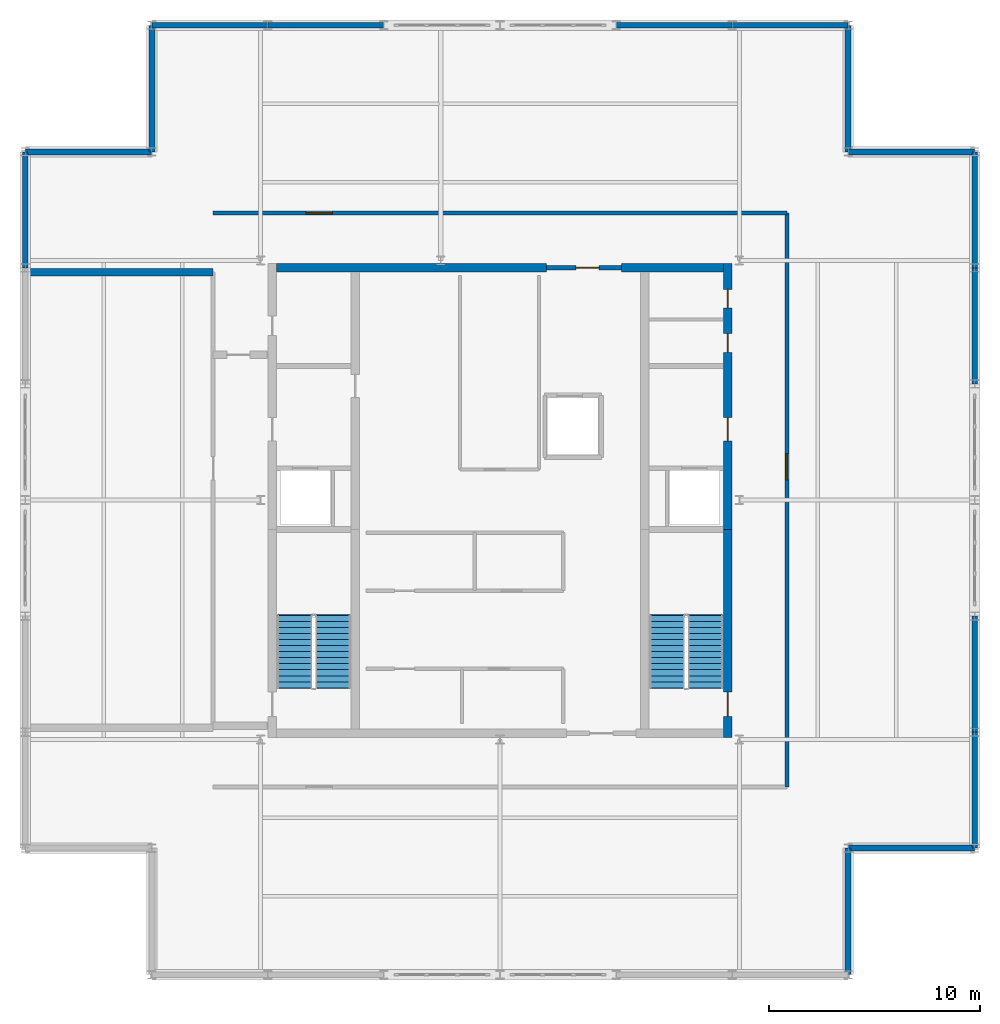
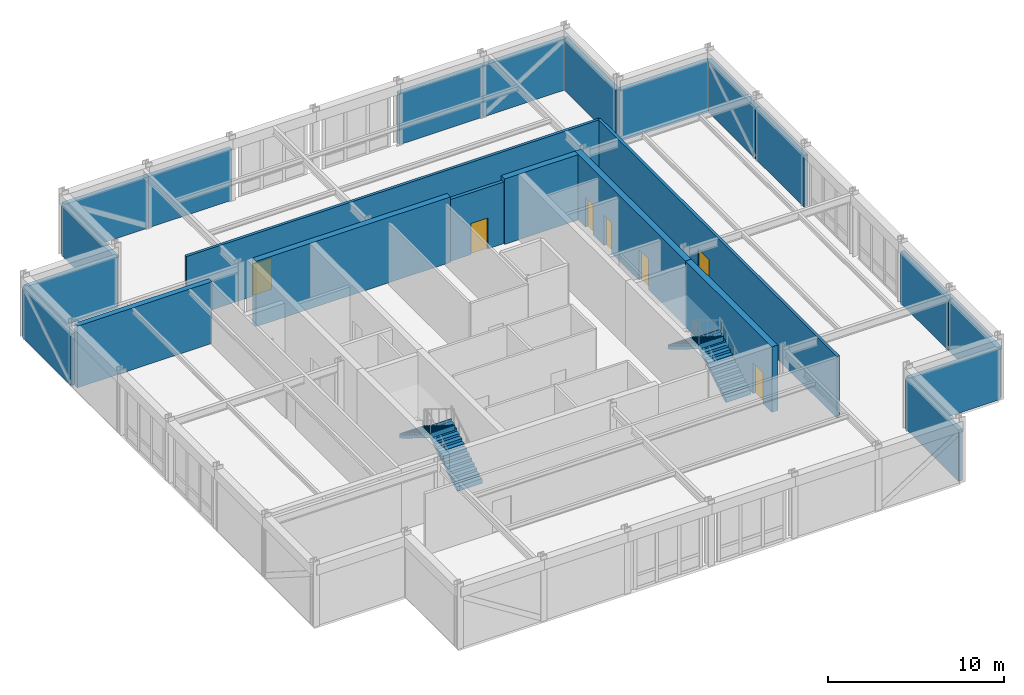
# One storey, part 8 of 9: 23 walls, 7 doors, 4 stair flights, 7 openings, 2 elements without a shape of their own.
"""IFC4 building model written with IfcOpenShell, lengths in metres."""

from ifc_helpers import new_model, si_unit, direction, frame, frame_2d, origin, place, context, subcontext, project, spatial, polyline, rectangle, outline, extrude, material, layer, layer_set, type_object, element, fill, aggregate, save


model = new_model("IFC4")

# Units and contexts
model_context = context("Model", 3, precision=1e-05, world=origin(), true_north=direction((0.0, 1.0)))
body_context = subcontext(model_context, "Body", "Model", "MODEL_VIEW")
ifc_project = project(units=[si_unit("LENGTHUNIT", "METRE"), si_unit("AREAUNIT", "SQUARE_METRE"), si_unit("VOLUMEUNIT", "CUBIC_METRE"), si_unit("PLANEANGLEUNIT", "RADIAN"), si_unit("MASSUNIT", "GRAM", prefix="KILO")], contexts=[model_context])

# Site, building, storey
site_placement = place(None, origin())
site = spatial("IfcSite", under=ifc_project, at=site_placement, CompositionType="ELEMENT")
building_placement = place(site_placement, origin())
building = spatial("IfcBuilding", under=site, at=building_placement, Name="Nhamokura Convention Tower", CompositionType="ELEMENT")
storey_placement = place(building_placement, frame((0.0, 0.0, 317.800048828125)))
storey = spatial("IfcBuildingStorey", under=building, at=storey_placement, Name="L78", CompositionType="ELEMENT", Elevation=317.800048828125)

# Walls
ifc_material_1 = material(Name="Bronze-pigmented precast concrete C45/55", Category="concrete")
ifc_layer_1 = layer(ifc_material_1, 0.280029296875)
ifc_layer_set_1 = layer_set([ifc_layer_1], Name="BronzePrecastSpandrel_280")
wall_type_1 = type_object("IfcWallType", Name="BronzePrecastSpandrel_280", PredefinedType="USERDEFINED", material=ifc_layer_set_1)
for number, where, z_axis, x_axis, name in (
    (1, (15.5, 54.5, 0.0), (0.0, 0.0, 1.0), (1.0, 0.0, 0.0), "L78 Crown Wall NORTH 0"),
    (2, (21.0, 54.5, 0.0), (0.0, 0.0, 1.0), (1.0, 0.0, 0.0), "L78 Crown Wall NORTH 1"),
    (3, (37.5, 54.5, 0.0), (0.0, 0.0, 1.0), (1.0, 0.0, 0.0), "L78 Crown Wall NORTH 4"),
    (4, (43.0, 54.5, 0.0), (0.0, 0.0, 1.0), (1.0, 0.0, 0.0), "L78 Crown Wall NORTH 5"),
    (5, (9.5, 43.0, 0.0), (0.0, 0.0, 1.0), (0.0, 1.0, 0.0), "L78 Crown Wall WEST 5"),
    (6, (54.5, 21.0, 0.0), (0.0, 0.0, 1.0), (0.0, -1.0, 0.0), "L78 Crown Wall EAST 0"),
    (7, (54.5, 26.5, 0.0), (0.0, 0.0, 1.0), (0.0, -1.0, 0.0), "L78 Crown Wall EAST 1"),
    (8, (54.5, 43.0, 0.0), (0.0, 0.0, 1.0), (0.0, -1.0, 0.0), "L78 Crown Wall EAST 4"),
    (9, (54.5, 48.5, 0.0), (0.0, 0.0, 1.0), (0.0, -1.0, 0.0), "L78 Crown Wall EAST 5"),
):
    element("IfcWall", number, at=place(storey_placement, frame(where, z_axis=z_axis, x_axis=x_axis)), inside=storey, type_object=wall_type_1, Name=name, ObjectType="SPANDREL_WALL", PredefinedType="USERDEFINED", context=body_context, shape_type="SweptSolid", body=[
        extrude(rectangle(XDim=5.5, YDim=0.280029296875, at=frame_2d((2.75, 0.0))), origin(), (0.0, 0.0, 1.0), 3.570068359375),
    ])
for number, where, z_axis, x_axis, name in (
    (10, (48.5, 15.5, 0.0), (0.0, 0.0, 1.0), (0.0, -1.0, 0.0), "L78 Crown Notch Wall SE1"),
    (11, (54.5, 15.5, 0.0), (0.0, 0.0, 1.0), (-1.0, 0.0, 0.0), "L78 Crown Notch Wall SE2"),
    (12, (48.5, 48.5, 0.0), (0.0, 0.0, 1.0), (1.0, 0.0, 0.0), "L78 Crown Notch Wall NE1"),
    (13, (48.5, 54.5, 0.0), (0.0, 0.0, 1.0), (0.0, -1.0, 0.0), "L78 Crown Notch Wall NE2"),
    (14, (15.5, 48.5, 0.0), (0.0, 0.0, 1.0), (0.0, 1.0, 0.0), "L78 Crown Notch Wall NW1"),
    (15, (9.5, 48.5, 0.0), (0.0, 0.0, 1.0), (1.0, 0.0, 0.0), "L78 Crown Notch Wall NW2"),
):
    element("IfcWall", number, at=place(storey_placement, frame(where, z_axis=z_axis, x_axis=x_axis)), inside=storey, type_object=wall_type_1, Name=name, ObjectType="SPANDREL_WALL", PredefinedType="USERDEFINED", context=body_context, shape_type="SweptSolid", body=[
        extrude(rectangle(XDim=6.0, YDim=0.280029296875, at=frame_2d((3.0, 0.0))), origin(), (0.0, 0.0, 1.0), 3.570068359375),
    ])

# Wall, opening, door
ifc_material_2 = material(Name="Concrete C50/60", Category="concrete")
ifc_layer_2 = layer(ifc_material_2, 0.39990234375)
ifc_layer_set_2 = layer_set([ifc_layer_2], Name="CoreShearWall_400")
wall_type_2 = type_object("IfcWallType", Name="CoreShearWall_400", PredefinedType="SHEAR", material=ifc_layer_set_2)
wall_1_placement = place(storey_placement, frame((42.7900390625, 20.75, 0.0), z_axis=(0.0, 0.0, 1.0), x_axis=(0.0, 1.0, 0.0)))
wall_1 = element("IfcWall", 16, at=wall_1_placement, inside=storey, type_object=wall_type_2, Name="L78 Core Shear Wall CW-ES", PredefinedType="SHEAR", context=body_context, shape_type="SweptSolid", body=[
    extrude(rectangle(XDim=9.85009765625, YDim=0.39990234375, at=frame_2d((4.925048828125, 0.0))), origin(), (0.0, 0.0, 1.0), 4.550048828125),
])
opening_1_placement = place(wall_1_placement, frame((1.0, 0.0, 0.0)))
opening_1 = element("IfcOpeningElement", 17, at=opening_1_placement, cuts=wall_1, Name="Opening D-04", PredefinedType="OPENING", context=body_context, shape_type="SweptSolid", body=[
    extrude(rectangle(XDim=1.14990234375, YDim=2.14990234375, at=frame_2d((0.574951171875, 1.074951171875))), frame((0.0, 0.2099609375, 0.0), z_axis=(0.0, -1.0, 0.0), x_axis=(1.0, 0.0, 0.0)), (0.0, 0.0, 1.0), 0.419921875),
])
ifc_material_3 = material(Name="Fire-rated steel door", Category="steel")
door_type_1 = type_object("IfcDoorType", Name="StairSmokeDoor_1150", OperationType="NOTDEFINED", PredefinedType="DOOR", material=ifc_material_3)
door_1_placement = place(opening_1_placement, origin())
door_1 = element("IfcDoor", 18, at=door_1_placement, inside=storey, type_object=door_type_1, Name="L78 Core Door INT-L78-D-ST02", OperationType="SINGLE_SWING_RIGHT", OverallHeight=2.14990234375, OverallWidth=1.14990234375, PredefinedType="DOOR", context=body_context, shape_type="SweptSolid", body=[
    extrude(rectangle(XDim=1.14990234375, YDim=2.14990234375, at=frame_2d((0.574951171875, 1.074951171875))), frame((0.0, 0.02490234375, 0.0), z_axis=(0.0, -1.0, 0.0), x_axis=(1.0, 0.0, 0.0)), (0.0, 0.0, 1.0), 0.050048828125),
])
fill(opening_1, door_1)

# Wall, openings, doors
wall_2_placement = place(storey_placement, frame((42.7900390625, 30.60009765625, 0.0), z_axis=(0.0, 0.0, 1.0), x_axis=(0.0, 1.0, 0.0)))
wall_2 = element("IfcWall", 19, at=wall_2_placement, inside=storey, type_object=wall_type_2, Name="L78 Core Shear Wall CW-EN", PredefinedType="SHEAR", context=body_context, shape_type="SweptSolid", body=[
    extrude(rectangle(XDim=12.599853515625, YDim=0.39990234375, at=frame_2d((6.2998046875, 0.0))), origin(), (0.0, 0.0, 1.0), 4.550048828125),
])
opening_2_placement = place(wall_2_placement, frame((4.199951171875, 0.0, 0.0)))
opening_2 = element("IfcOpeningElement", 20, at=opening_2_placement, cuts=wall_2, Name="Opening D-05", PredefinedType="OPENING", context=body_context, shape_type="SweptSolid", body=[
    extrude(rectangle(XDim=1.10009765625, YDim=2.14990234375, at=frame_2d((0.550048828125, 1.074951171875))), frame((0.0, 0.2099609375, 0.0), z_axis=(0.0, -1.0, 0.0), x_axis=(1.0, 0.0, 0.0)), (0.0, 0.0, 1.0), 0.419921875),
])
opening_3_placement = place(wall_2_placement, frame((8.39990234375, 0.0, 0.0)))
opening_3 = element("IfcOpeningElement", 21, at=opening_3_placement, cuts=wall_2, Name="Opening D-11", PredefinedType="OPENING", context=body_context, shape_type="SweptSolid", body=[
    extrude(rectangle(XDim=0.8798828125, YDim=2.10009765625, at=frame_2d((0.43994140625, 1.050048828125))), frame((0.0, 0.2099609375, 0.0), z_axis=(0.0, -1.0, 0.0), x_axis=(1.0, 0.0, 0.0)), (0.0, 0.0, 1.0), 0.419921875),
])
opening_4_placement = place(wall_2_placement, frame((10.5, 0.0, 0.0)))
opening_4 = element("IfcOpeningElement", 22, at=opening_4_placement, cuts=wall_2, Name="Opening D-11", PredefinedType="OPENING", context=body_context, shape_type="SweptSolid", body=[
    extrude(rectangle(XDim=0.8798828125, YDim=2.10009765625, at=frame_2d((0.43994140625, 1.050048828125))), frame((0.0, 0.2099609375, 0.0), z_axis=(0.0, -1.0, 0.0), x_axis=(1.0, 0.0, 0.0)), (0.0, 0.0, 1.0), 0.419921875),
])
ifc_material_4 = material(Name="Solid oak hardwood", Category="wood")
door_type_2 = type_object("IfcDoorType", Name="BathroomDoor_880", OperationType="NOTDEFINED", PredefinedType="DOOR", material=ifc_material_4)
door_2_placement = place(opening_3_placement, origin())
door_2 = element("IfcDoor", 23, at=door_2_placement, inside=storey, type_object=door_type_2, Name="L78 Core Door INT-L78-D-MWC", OperationType="SINGLE_SWING_RIGHT", OverallHeight=2.10009765625, OverallWidth=0.8798828125, PredefinedType="DOOR", context=body_context, shape_type="SweptSolid", body=[
    extrude(rectangle(XDim=0.8798828125, YDim=2.10009765625, at=frame_2d((0.43994140625, 1.050048828125))), frame((0.0, 0.02490234375, 0.0), z_axis=(0.0, -1.0, 0.0), x_axis=(1.0, 0.0, 0.0)), (0.0, 0.0, 1.0), 0.050048828125),
])
fill(opening_3, door_2)
door_3_placement = place(opening_4_placement, origin())
door_3 = element("IfcDoor", 24, at=door_3_placement, inside=storey, type_object=door_type_2, Name="L78 Core Door INT-L78-D-FWC", OperationType="SINGLE_SWING_LEFT", OverallHeight=2.10009765625, OverallWidth=0.8798828125, PredefinedType="DOOR", context=body_context, shape_type="SweptSolid", body=[
    extrude(rectangle(XDim=0.8798828125, YDim=2.10009765625, at=frame_2d((0.43994140625, 1.050048828125))), frame((0.0, 0.02490234375, 0.0), z_axis=(0.0, -1.0, 0.0), x_axis=(1.0, 0.0, 0.0)), (0.0, 0.0, 1.0), 0.050048828125),
])
fill(opening_4, door_3)
ifc_material_5 = material(Name="Fire-rated steel door", Category="steel")
door_type_3 = type_object("IfcDoorType", Name="FireLobbyDoor_1100", OperationType="NOTDEFINED", PredefinedType="DOOR", material=ifc_material_5)
door_4_placement = place(opening_2_placement, origin())
door_4 = element("IfcDoor", 25, at=door_4_placement, inside=storey, type_object=door_type_3, Name="L78 Core Door INT-L78-D-FFLE", OperationType="SINGLE_SWING_LEFT", OverallHeight=2.14990234375, OverallWidth=1.10009765625, PredefinedType="DOOR", context=body_context, shape_type="SweptSolid", body=[
    extrude(rectangle(XDim=1.10009765625, YDim=2.14990234375, at=frame_2d((0.550048828125, 1.074951171875))), frame((0.0, 0.02490234375, 0.0), z_axis=(0.0, -1.0, 0.0), x_axis=(1.0, 0.0, 0.0)), (0.0, 0.0, 1.0), 0.050048828125),
])
fill(opening_2, door_4)

# Walls
wall_3_placement = place(storey_placement, frame((21.409912109375, 43.0, 0.0), z_axis=(0.0, 0.0, 1.0), x_axis=(1.0, 0.0, 0.0)))
element("IfcWall", 26, at=wall_3_placement, inside=storey, type_object=wall_type_2, Name="L78 Core Shear Wall CW-N1", PredefinedType="SHEAR", context=body_context, shape_type="SweptSolid", body=[
    extrude(rectangle(XDim=12.7900390625, YDim=0.39990234375, at=frame_2d((6.39501953125, 0.0))), origin(), (0.0, 0.0, 1.0), 4.550048828125),
])
wall_4_placement = place(storey_placement, frame((37.75, 43.0, 0.0), z_axis=(0.0, 0.0, 1.0), x_axis=(1.0, 0.0, 0.0)))
element("IfcWall", 27, at=wall_4_placement, inside=storey, type_object=wall_type_2, Name="L78 Core Shear Wall CW-N2", PredefinedType="SHEAR", context=body_context, shape_type="SweptSolid", body=[
    extrude(rectangle(XDim=4.840087890625, YDim=0.39990234375, at=frame_2d((2.419921875, 0.0))), origin(), (0.0, 0.0, 1.0), 4.550048828125),
])

# Wall, opening, door
ifc_material_6 = material(Name="Fire-rated gypsum and masonry partition", Category="masonry")
ifc_layer_3 = layer(ifc_material_6, 0.179931640625)
ifc_layer_set_3 = layer_set([ifc_layer_3], Name="CorridorRatedWall_180")
wall_type_3 = type_object("IfcWallType", Name="CorridorRatedWall_180", PredefinedType="STANDARD", material=ifc_layer_set_3)
wall_5_placement = place(storey_placement, frame((18.39990234375, 45.60009765625, 0.0), z_axis=(0.0, 0.0, 1.0), x_axis=(1.0, 0.0, 0.0)))
wall_5 = element("IfcWall", 28, at=wall_5_placement, inside=storey, type_object=wall_type_3, Name="L78 Wall INT-L78-CW-N00", PredefinedType="STANDARD", context=body_context, shape_type="SweptSolid", body=[
    extrude(rectangle(XDim=27.2001953125, YDim=0.179931640625, at=frame_2d((13.60009765625, 0.0))), origin(), (0.0, 0.0, 1.0), 4.2900390625),
])
opening_5_placement = place(wall_5_placement, frame((4.39990234375, 0.0, 0.0)))
opening_5 = element("IfcOpeningElement", 29, at=opening_5_placement, cuts=wall_5, Name="Opening D-12", PredefinedType="OPENING", context=body_context, shape_type="SweptSolid", body=[
    extrude(rectangle(XDim=1.25, YDim=2.199951171875, at=frame_2d((0.625, 1.10009765625))), frame((0.0, 0.099853515625, 0.0), z_axis=(0.0, -1.0, 0.0), x_axis=(1.0, 0.0, 0.0)), (0.0, 0.0, 1.0), 0.199951171875),
])
ifc_material_7 = material(Name="Fire-rated steel door", Category="steel")
door_type_4 = type_object("IfcDoorType", Name="PlantServiceDoor_1250", OperationType="NOTDEFINED", PredefinedType="DOOR", material=ifc_material_7)
door_5_placement = place(opening_5_placement, origin())
door_5 = element("IfcDoor", 30, at=door_5_placement, inside=storey, type_object=door_type_4, Name="L78 High-Altitude AHU Plant N01 Door", OperationType="SINGLE_SWING_LEFT", OverallHeight=2.199951171875, OverallWidth=1.25, PredefinedType="DOOR", context=body_context, shape_type="SweptSolid", body=[
    extrude(rectangle(XDim=1.25, YDim=2.199951171875, at=frame_2d((0.625, 1.10009765625))), frame((0.0, 0.02490234375, 0.0), z_axis=(0.0, -1.0, 0.0), x_axis=(1.0, 0.0, 0.0)), (0.0, 0.0, 1.0), 0.050048828125),
])
fill(opening_5, door_5)

wall_6_placement = place(storey_placement, frame((45.60009765625, 18.39990234375, 0.0), z_axis=(0.0, 0.0, 1.0), x_axis=(0.0, 1.0, 0.0)))
wall_6 = element("IfcWall", 31, at=wall_6_placement, inside=storey, type_object=wall_type_3, Name="L78 Wall INT-L78-CW-E00", PredefinedType="STANDARD", context=body_context, shape_type="SweptSolid", body=[
    extrude(rectangle(XDim=27.2001953125, YDim=0.179931640625, at=frame_2d((13.60009765625, 0.0))), origin(), (0.0, 0.0, 1.0), 4.2900390625),
])
opening_6_placement = place(wall_6_placement, frame((14.550048828125, 0.0, 0.0)))
opening_6 = element("IfcOpeningElement", 32, at=opening_6_placement, cuts=wall_6, Name="Opening D-12", PredefinedType="OPENING", context=body_context, shape_type="SweptSolid", body=[
    extrude(rectangle(XDim=1.25, YDim=2.199951171875, at=frame_2d((0.625, 1.10009765625))), frame((0.0, 0.099853515625, 0.0), z_axis=(0.0, -1.0, 0.0), x_axis=(1.0, 0.0, 0.0)), (0.0, 0.0, 1.0), 0.199951171875),
])
door_6_placement = place(opening_6_placement, origin())
door_6 = element("IfcDoor", 33, at=door_6_placement, inside=storey, type_object=door_type_4, Name="L78 Chilled-Water Heat Exchanger Plant E01 Door", OperationType="SINGLE_SWING_LEFT", OverallHeight=2.199951171875, OverallWidth=1.25, PredefinedType="DOOR", context=body_context, shape_type="SweptSolid", body=[
    extrude(rectangle(XDim=1.25, YDim=2.199951171875, at=frame_2d((0.625, 1.10009765625))), frame((0.0, 0.02490234375, 0.0), z_axis=(0.0, -1.0, 0.0), x_axis=(1.0, 0.0, 0.0)), (0.0, 0.0, 1.0), 0.050048828125),
])
fill(opening_6, door_6)

ifc_material_8 = material(Name="Autoclaved concrete blockwork", Category="masonry")
ifc_layer_4 = layer(ifc_material_8, 0.219970703125)
ifc_layer_set_4 = layer_set([ifc_layer_4], Name="FireLobbyWall_220")
wall_type_4 = type_object("IfcWallType", Name="FireLobbyWall_220", PredefinedType="STANDARD", material=ifc_layer_set_4)
wall_7_placement = place(storey_placement, frame((34.199951171875, 43.0, 0.0), z_axis=(0.0, 0.0, 1.0), x_axis=(1.0, 0.0, 0.0)))
wall_7 = element("IfcWall", 34, at=wall_7_placement, inside=storey, type_object=wall_type_4, Name="L78 Wall INT-L78-CPORT-N", PredefinedType="STANDARD", context=body_context, shape_type="SweptSolid", body=[
    extrude(rectangle(XDim=3.550048828125, YDim=0.219970703125, at=frame_2d((1.77490234375, 0.0))), origin(), (0.0, 0.0, 1.0), 4.2900390625),
])
opening_7_placement = place(wall_7_placement, frame((1.39990234375, 0.0, 0.0)))
opening_7 = element("IfcOpeningElement", 35, at=opening_7_placement, cuts=wall_7, Name="Opening D-05", PredefinedType="OPENING", context=body_context, shape_type="SweptSolid", body=[
    extrude(rectangle(XDim=1.10009765625, YDim=2.14990234375, at=frame_2d((0.550048828125, 1.074951171875))), frame((0.0, 0.119873046875, 0.0), z_axis=(0.0, -1.0, 0.0), x_axis=(1.0, 0.0, 0.0)), (0.0, 0.0, 1.0), 0.239990234375),
])
door_7_placement = place(opening_7_placement, origin())
door_7 = element("IfcDoor", 36, at=door_7_placement, inside=storey, type_object=door_type_3, Name="L78 North Core Lobby Portal Door", OperationType="SINGLE_SWING_RIGHT", OverallHeight=2.14990234375, OverallWidth=1.10009765625, PredefinedType="DOOR", context=body_context, shape_type="SweptSolid", body=[
    extrude(rectangle(XDim=1.10009765625, YDim=2.14990234375, at=frame_2d((0.550048828125, 1.074951171875))), frame((0.0, 0.02490234375, 0.0), z_axis=(0.0, -1.0, 0.0), x_axis=(1.0, 0.0, 0.0)), (0.0, 0.0, 1.0), 0.050048828125),
])
fill(opening_7, door_7)

# Wall
ifc_material_9 = material(Name="Concrete C50/60", Category="concrete")
ifc_layer_5 = layer(ifc_material_9, 0.35009765625)
ifc_layer_set_5 = layer_set([ifc_layer_5], Name="FirewallPlant_350")
wall_type_5 = type_object("IfcWallType", Name="FirewallPlant_350", PredefinedType="STANDARD", material=ifc_layer_set_5)
wall_8_placement = place(storey_placement, frame((9.56005859375, 42.800048828125, 0.0), z_axis=(0.0, 0.0, 1.0), x_axis=(1.0, 0.0, 0.0)))
element("IfcWall", 37, at=wall_8_placement, inside=storey, type_object=wall_type_5, Name="L78 Wall INT-L78-RWT-W", PredefinedType="STANDARD", context=body_context, shape_type="SweptSolid", body=[
    extrude(rectangle(XDim=8.83984375, YDim=0.35009765625, at=frame_2d((4.419921875, 0.0))), origin(), (0.0, 0.0, 1.0), 4.2900390625),
])

# Stair, stair flights
ifc_material_10 = material(Name="Concrete C40/50", Category="concrete")
stair_type = type_object("IfcStairType", Name="TowerCoreStair_1650", PredefinedType="HALF_TURN_STAIR", material=ifc_material_10)
stair_1_placement = place(storey_placement, origin())
stair_1 = element("IfcStair", 38, at=stair_1_placement, inside=storey, type_object=stair_type, Name="L78 West Core Smokeproof Stair ST-01", PredefinedType="HALF_TURN_STAIR")
ifc_material_11 = material(Name="Concrete C40/50", Category="concrete")
stair_flight_type = type_object("IfcStairFlightType", Name="TowerCoreStair_1650_Flight", PredefinedType="STRAIGHT", material=ifc_material_11)
stair_flight_1_placement = place(storey_placement, frame((24.074951171875, 23.10009765625, 0.0), z_axis=(0.0, 0.0, 1.0), x_axis=(0.0, 1.0, 0.0)))
stair_flight_1 = element("IfcStairFlight", 39, at=stair_flight_1_placement, type_object=stair_flight_type, Name="ST-01 flight 1", NumberOfRisers=13, NumberOfTreads=12, PredefinedType="STRAIGHT", RiserHeight=0.175, TreadLength=0.285, context=body_context, shape_type="SweptSolid", body=[
    extrude(outline(polyline([(-0.0419921875, 0.0), (0.0, 0.175048828125), (0.284912109375, 0.175048828125), (0.284912109375, 0.35009765625), (0.570068359375, 0.35009765625), (0.570068359375, 0.52490234375), (0.85498046875, 0.52490234375), (0.85498046875, 0.699951171875), (1.139892578125, 0.699951171875), (1.139892578125, 0.875), (1.425048828125, 0.875), (1.425048828125, 1.050048828125), (1.7099609375, 1.050048828125), (1.7099609375, 1.22509765625), (1.9951171875, 1.22509765625), (1.9951171875, 1.39990234375), (2.280029296875, 1.39990234375), (2.280029296875, 1.574951171875), (2.56494140625, 1.574951171875), (2.56494140625, 1.75), (2.85009765625, 1.75), (2.85009765625, 1.925048828125), (3.135009765625, 1.925048828125), (3.135009765625, 2.10009765625), (3.419921875, 2.10009765625), (3.419921875, 2.27490234375), (3.4619140625, 2.27490234375), (3.4619140625, 1.924072265625), (3.419921875, 1.924072265625), (0.286376953125, 0.0), (0.02001953125, -0.1298828125), (-0.0419921875, -0.1298828125), (-0.0419921875, 0.0)])), frame((0.0, 0.824951171875, 0.0), z_axis=(0.0, -1.0, 0.0), x_axis=(1.0, 0.0, 0.0)), (0.0, 0.0, 1.0), 1.64990234375),
])
stair_flight_2_placement = place(storey_placement, frame((22.27490234375, 26.52001953125, 2.27490234375), z_axis=(0.0, 0.0, 1.0), x_axis=(0.0, -1.0, 0.0)))
stair_flight_2 = element("IfcStairFlight", 40, at=stair_flight_2_placement, type_object=stair_flight_type, Name="ST-01 flight 2", NumberOfRisers=13, NumberOfTreads=12, PredefinedType="STRAIGHT", RiserHeight=0.175, TreadLength=0.285, context=body_context, shape_type="SweptSolid", body=[
    extrude(outline(polyline([(-0.0419921875, 0.0), (0.0, 0.175048828125), (0.284912109375, 0.175048828125), (0.284912109375, 0.35009765625), (0.570068359375, 0.35009765625), (0.570068359375, 0.52490234375), (0.85498046875, 0.52490234375), (0.85498046875, 0.699951171875), (1.139892578125, 0.699951171875), (1.139892578125, 0.875), (1.425048828125, 0.875), (1.425048828125, 1.050048828125), (1.7099609375, 1.050048828125), (1.7099609375, 1.22509765625), (1.9951171875, 1.22509765625), (1.9951171875, 1.39990234375), (2.280029296875, 1.39990234375), (2.280029296875, 1.574951171875), (2.56494140625, 1.574951171875), (2.56494140625, 1.75), (2.85009765625, 1.75), (2.85009765625, 1.925048828125), (3.135009765625, 1.925048828125), (3.135009765625, 2.10009765625), (3.419921875, 2.10009765625), (3.419921875, 2.27490234375), (3.4619140625, 2.27490234375), (3.4619140625, 1.924072265625), (3.419921875, 1.924072265625), (0.286376953125, 0.0), (0.02001953125, -0.1298828125), (-0.0419921875, -0.1298828125), (-0.0419921875, 0.0)])), frame((0.0, 0.824951171875, 0.0), z_axis=(0.0, -1.0, 0.0), x_axis=(1.0, 0.0, 0.0)), (0.0, 0.0, 1.0), 1.64990234375),
])
aggregate(stair_1, [stair_flight_1, stair_flight_2])

stair_2_placement = place(storey_placement, origin())
stair_2 = element("IfcStair", 41, at=stair_2_placement, inside=storey, type_object=stair_type, Name="L78 East Core Smokeproof Stair ST-02", PredefinedType="HALF_TURN_STAIR")
stair_flight_3_placement = place(storey_placement, frame((41.72509765625, 23.10009765625, 0.0), z_axis=(0.0, 0.0, 1.0), x_axis=(0.0, 1.0, 0.0)))
stair_flight_3 = element("IfcStairFlight", 42, at=stair_flight_3_placement, type_object=stair_flight_type, Name="ST-02 flight 1", NumberOfRisers=13, NumberOfTreads=12, PredefinedType="STRAIGHT", RiserHeight=0.175, TreadLength=0.285, context=body_context, shape_type="SweptSolid", body=[
    extrude(outline(polyline([(-0.0419921875, 0.0), (0.0, 0.175048828125), (0.284912109375, 0.175048828125), (0.284912109375, 0.35009765625), (0.570068359375, 0.35009765625), (0.570068359375, 0.52490234375), (0.85498046875, 0.52490234375), (0.85498046875, 0.699951171875), (1.139892578125, 0.699951171875), (1.139892578125, 0.875), (1.425048828125, 0.875), (1.425048828125, 1.050048828125), (1.7099609375, 1.050048828125), (1.7099609375, 1.22509765625), (1.9951171875, 1.22509765625), (1.9951171875, 1.39990234375), (2.280029296875, 1.39990234375), (2.280029296875, 1.574951171875), (2.56494140625, 1.574951171875), (2.56494140625, 1.75), (2.85009765625, 1.75), (2.85009765625, 1.925048828125), (3.135009765625, 1.925048828125), (3.135009765625, 2.10009765625), (3.419921875, 2.10009765625), (3.419921875, 2.27490234375), (3.4619140625, 2.27490234375), (3.4619140625, 1.924072265625), (3.419921875, 1.924072265625), (0.286376953125, 0.0), (0.02001953125, -0.1298828125), (-0.0419921875, -0.1298828125), (-0.0419921875, 0.0)])), frame((0.0, 0.824951171875, 0.0), z_axis=(0.0, -1.0, 0.0), x_axis=(1.0, 0.0, 0.0)), (0.0, 0.0, 1.0), 1.64990234375),
])
stair_flight_4_placement = place(storey_placement, frame((39.925048828125, 26.52001953125, 2.27490234375), z_axis=(0.0, 0.0, 1.0), x_axis=(0.0, -1.0, 0.0)))
stair_flight_4 = element("IfcStairFlight", 43, at=stair_flight_4_placement, type_object=stair_flight_type, Name="ST-02 flight 2", NumberOfRisers=13, NumberOfTreads=12, PredefinedType="STRAIGHT", RiserHeight=0.175, TreadLength=0.285, context=body_context, shape_type="SweptSolid", body=[
    extrude(outline(polyline([(-0.0419921875, 0.0), (0.0, 0.175048828125), (0.284912109375, 0.175048828125), (0.284912109375, 0.35009765625), (0.570068359375, 0.35009765625), (0.570068359375, 0.52490234375), (0.85498046875, 0.52490234375), (0.85498046875, 0.699951171875), (1.139892578125, 0.699951171875), (1.139892578125, 0.875), (1.425048828125, 0.875), (1.425048828125, 1.050048828125), (1.7099609375, 1.050048828125), (1.7099609375, 1.22509765625), (1.9951171875, 1.22509765625), (1.9951171875, 1.39990234375), (2.280029296875, 1.39990234375), (2.280029296875, 1.574951171875), (2.56494140625, 1.574951171875), (2.56494140625, 1.75), (2.85009765625, 1.75), (2.85009765625, 1.925048828125), (3.135009765625, 1.925048828125), (3.135009765625, 2.10009765625), (3.419921875, 2.10009765625), (3.419921875, 2.27490234375), (3.4619140625, 2.27490234375), (3.4619140625, 1.924072265625), (3.419921875, 1.924072265625), (0.286376953125, 0.0), (0.02001953125, -0.1298828125), (-0.0419921875, -0.1298828125), (-0.0419921875, 0.0)])), frame((0.0, 0.824951171875, 0.0), z_axis=(0.0, -1.0, 0.0), x_axis=(1.0, 0.0, 0.0)), (0.0, 0.0, 1.0), 1.64990234375),
])
aggregate(stair_2, [stair_flight_3, stair_flight_4])

save(model, "model.ifc")
